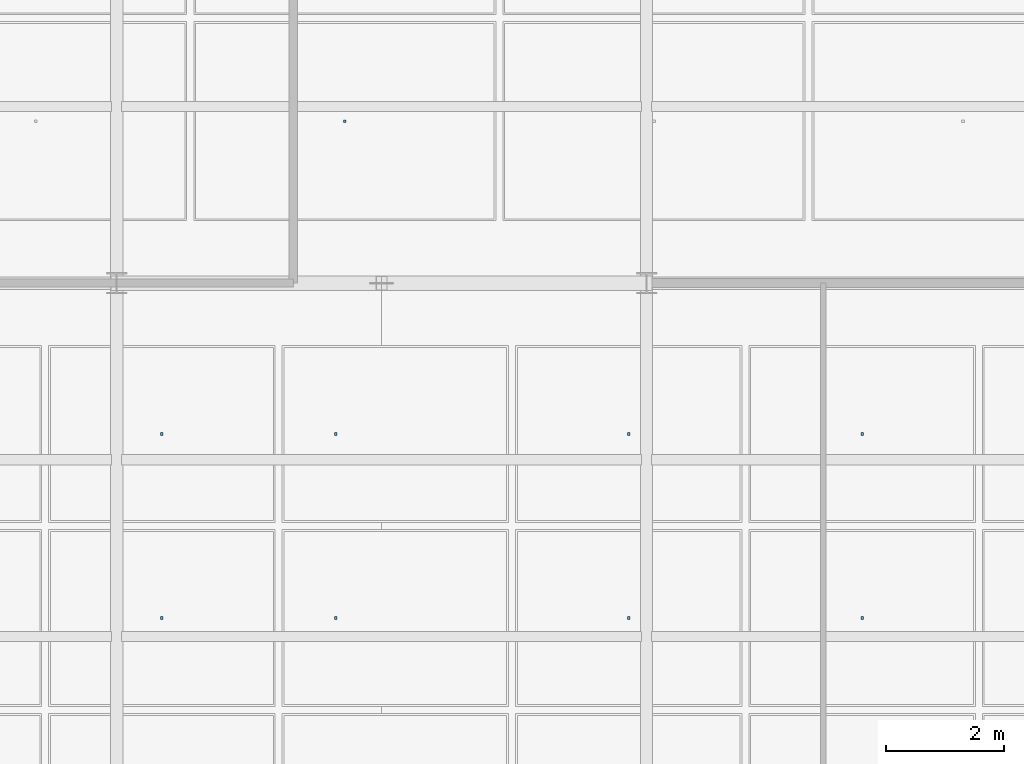
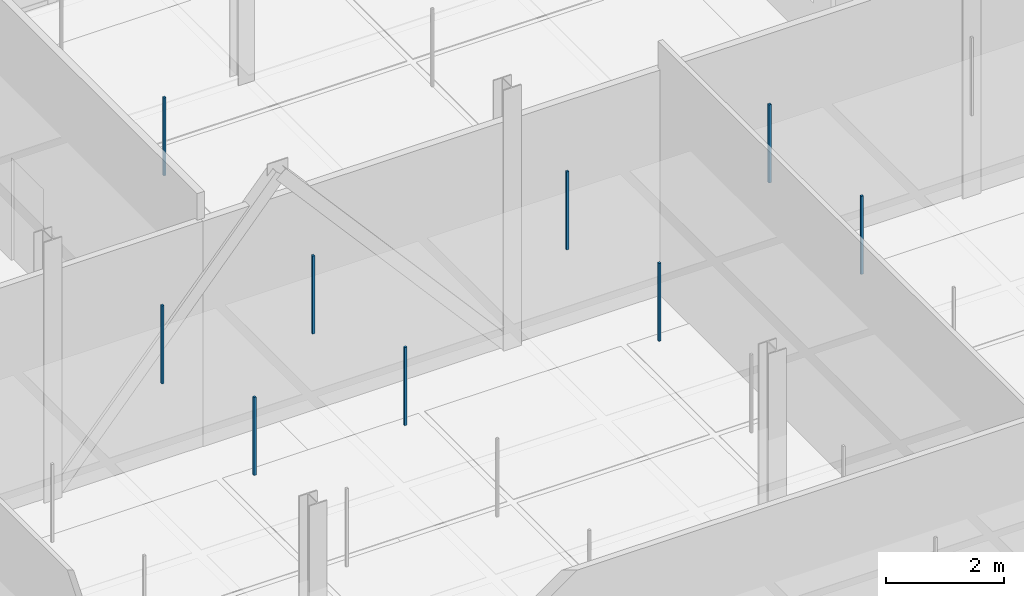
# One storey, part 140 of 180: 9 discrete accessories.
"""IFC4 building model written with IfcOpenShell, lengths in metres."""

from ifc_helpers import new_model, si_unit, direction, frame, origin, origin_2d, place, context, subcontext, project, spatial, rectangle, extrude, material, type_object, element, save


model = new_model("IFC4")

# Units and contexts
model_context = context("Model", 3, precision=1e-05, world=origin(), true_north=direction((0.0, 1.0)))
body_context = subcontext(model_context, "Body", "Model", "MODEL_VIEW")
ifc_project = project(units=[si_unit("LENGTHUNIT", "METRE"), si_unit("AREAUNIT", "SQUARE_METRE"), si_unit("VOLUMEUNIT", "CUBIC_METRE"), si_unit("PLANEANGLEUNIT", "RADIAN"), si_unit("MASSUNIT", "GRAM", prefix="KILO"), si_unit("THERMODYNAMICTEMPERATUREUNIT", "KELVIN"), si_unit("POWERUNIT", "WATT")], contexts=[model_context])

# Site, building, storey
site_placement = place(None, origin())
site = spatial("IfcSite", under=ifc_project, at=site_placement, CompositionType="ELEMENT")
building_placement = place(site_placement, origin())
building = spatial("IfcBuilding", under=site, at=building_placement, Name="Tallowbark Science Centre", CompositionType="ELEMENT")
storey_placement = place(building_placement, origin())
storey = spatial("IfcBuildingStorey", under=building, at=storey_placement, Name="L00", CompositionType="ELEMENT", Elevation=0.0)

# Discrete accessories
ifc_material = material(Name="Galvanised Steel Grade C350L0 (350 MPa)", Category="steel")
discrete_accessory_type = type_object("IfcDiscreteAccessoryType", Name="ACC-CLG-HNG", PredefinedType="BRACKET", material=ifc_material)
for number, where, z_axis, x_axis, name in (
    (1, (81.767822265625, 93.3125, 3.60498046875), (0.0, 0.0, 1.0), (1.0, 0.0, 0.0), "Ceiling Hanger Bracket L00-339"),
    (2, (81.767822265625, 96.4375, 3.60498046875), (0.0, 0.0, 1.0), (1.0, 0.0, 0.0), "Ceiling Hanger Bracket L00-340"),
    (3, (84.719970703125, 93.3125, 3.60498046875), (0.0, 0.0, 1.0), (1.0, 0.0, 0.0), "Ceiling Hanger Bracket L00-347"),
    (4, (84.719970703125, 96.4375, 3.60498046875), (0.0, 0.0, 1.0), (1.0, 0.0, 0.0), "Ceiling Hanger Bracket L00-348"),
    (5, (89.6962890625, 93.3125, 3.60498046875), (0.0, 0.0, 1.0), (1.0, 0.0, 0.0), "Ceiling Hanger Bracket L00-355"),
    (6, (89.6962890625, 96.4375, 3.60498046875), (0.0, 0.0, 1.0), (1.0, 0.0, 0.0), "Ceiling Hanger Bracket L00-356"),
    (7, (93.66064453125, 93.3125, 3.60498046875), (0.0, 0.0, 1.0), (1.0, 0.0, 0.0), "Ceiling Hanger Bracket L00-363"),
    (8, (93.66064453125, 96.4375, 3.60498046875), (0.0, 0.0, 1.0), (1.0, 0.0, 0.0), "Ceiling Hanger Bracket L00-364"),
):
    element("IfcDiscreteAccessory", number, at=place(storey_placement, frame(where, z_axis=z_axis, x_axis=x_axis)), inside=storey, type_object=discrete_accessory_type, Name=name, PredefinedType="BRACKET", context=body_context, shape_type="SweptSolid", body=[
        extrude(rectangle(XDim=0.044921875, YDim=0.044921875, at=origin_2d()), origin(), (0.0, 0.0, 1.0), 1.617919921875),
    ])
discrete_accessory_placement = place(storey_placement, frame((84.875, 101.75, 3.609375), z_axis=(0.0, 0.0, 1.0), x_axis=(1.0, 0.0, 0.0)))
element("IfcDiscreteAccessory", 9, at=discrete_accessory_placement, inside=storey, type_object=discrete_accessory_type, Name="Ceiling Hanger Bracket L00-412", PredefinedType="BRACKET", context=body_context, shape_type="SweptSolid", body=[
    extrude(rectangle(XDim=0.044921875, YDim=0.044921875, at=origin_2d()), origin(), (0.0, 0.0, 1.0), 1.613525390625),
])

save(model, "model.ifc")
